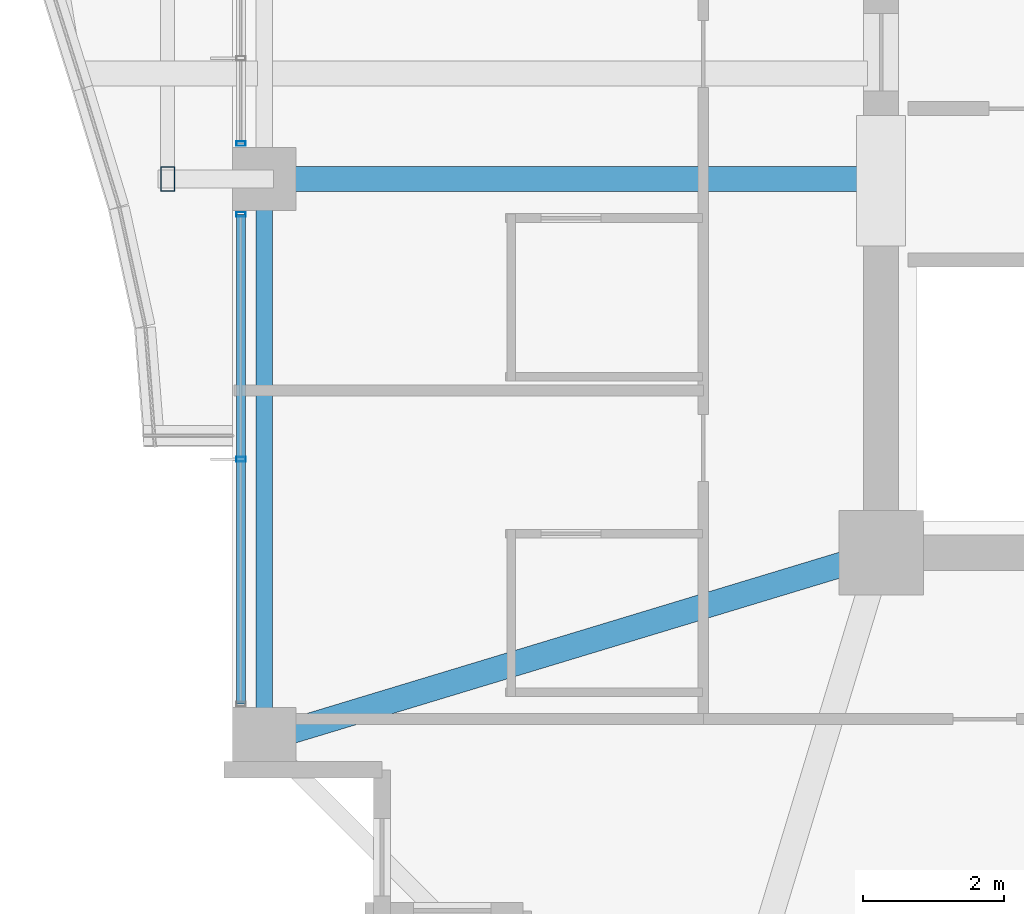
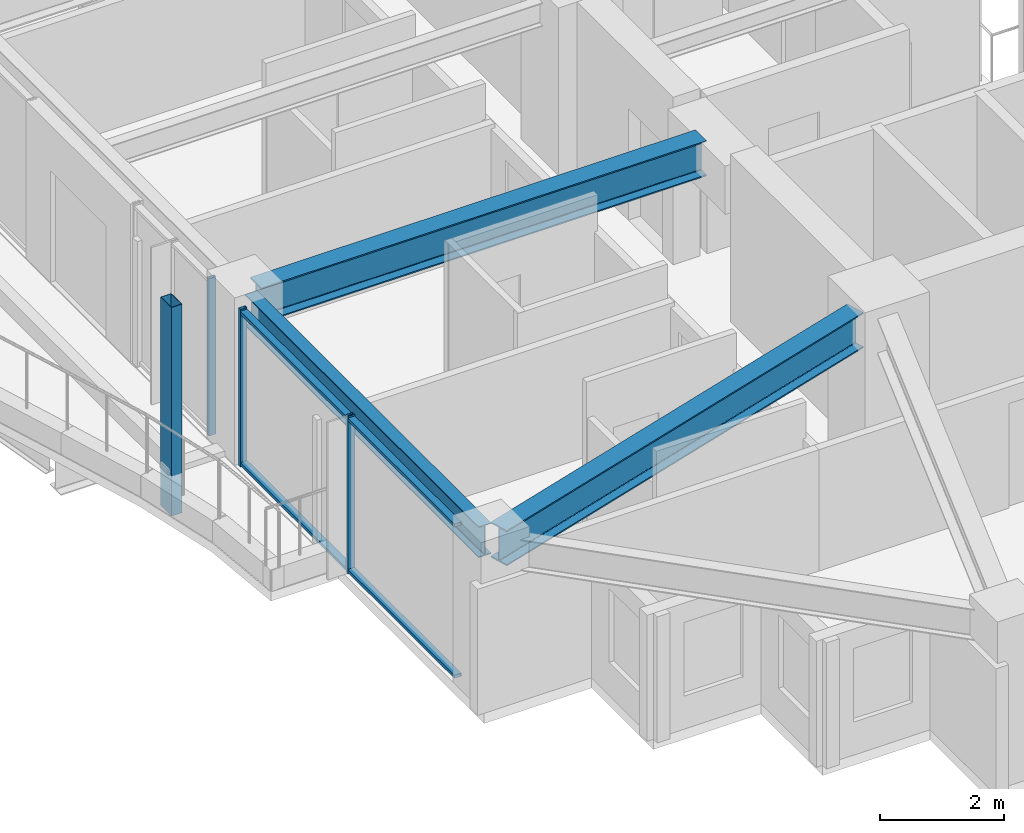
# One storey, part 4 of 37: 6 members, 3 beams, 2 elements without a shape of their own.
"""IFC4 building model written with IfcOpenShell, lengths in metres."""

from ifc_helpers import new_model, si_unit, direction, frame, origin, origin_2d, place, context, subcontext, project, spatial, hollow_rectangle, i_section, extrude, material, material_profile, profile_set, type_object, element, aggregate, save


model = new_model("IFC4")

# Units and contexts
model_context = context("Model", 3, precision=1e-05, world=origin(), true_north=direction((0.0, 1.0)))
body_context = subcontext(model_context, "Body", "Model", "MODEL_VIEW")
ifc_project = project(units=[si_unit("LENGTHUNIT", "METRE"), si_unit("AREAUNIT", "SQUARE_METRE"), si_unit("VOLUMEUNIT", "CUBIC_METRE"), si_unit("PLANEANGLEUNIT", "RADIAN"), si_unit("MASSUNIT", "GRAM", prefix="KILO")], contexts=[model_context])

# Site, building, storey
site_placement = place(None, origin())
site = spatial("IfcSite", under=ifc_project, at=site_placement, CompositionType="ELEMENT")
building_placement = place(site_placement, origin())
building = spatial("IfcBuilding", under=site, at=building_placement, Name="Kolvaren Belvedere", CompositionType="ELEMENT")
storey_placement = place(building_placement, frame((0.0, 0.0, 156.89990234375)))
storey = spatial("IfcBuildingStorey", under=building, at=storey_placement, Name="L45", CompositionType="ELEMENT", Elevation=156.89990234375)

# Beams
ifc_material_1 = material(Name="Structural steel ASTM A992 Grade 50", Category="steel")
ifc_material_profile_1 = material_profile(ifc_material_1, i_section(OverallWidth=0.35498046875, OverallDepth=0.696044921875, WebThickness=0.015380859375, FlangeThickness=0.02490234375, FilletRadius=0.02197265625, at=origin_2d()), Name="W27X146")
ifc_profile_set_1 = profile_set([ifc_material_profile_1], Name="Structural steel ASTM A992 Grade 50")
beam_type_1 = type_object("IfcBeamType", Name="BM-GIRD-W27X146", PredefinedType="BEAM", material=ifc_profile_set_1)
beam_1_placement = place(storey_placement, frame((-10.14990234375, -4.60009765625, 2.752197265625), z_axis=(-1.0, 0.0, 0.0), x_axis=(0.0, -1.0, 0.0)))
element("IfcBeam", 1, at=beam_1_placement, inside=storey, type_object=beam_type_1, Name="L45 West Radial Girder M", PredefinedType="BEAM", context=body_context, shape_type="SweptSolid", body=[
    extrude(i_section(OverallWidth=0.35498046875, OverallDepth=0.696044921875, WebThickness=0.015380859375, FlangeThickness=0.02490234375, FilletRadius=0.02197265625, at=origin_2d()), origin(), (0.0, 0.0, 1.0), 8.297607421875),
])
beam_2_placement = place(storey_placement, frame((-10.426513671875, -10.059326171875, 2.752197265625), z_axis=(-0.957067352423, -0.289865629086, 0.0), x_axis=(0.289865629086, -0.957067352423, 0.0)))
element("IfcBeam", 2, at=beam_2_placement, inside=storey, type_object=beam_type_1, Name="L45 Corner Core-to-Perimeter Girder CC1-W1", PredefinedType="BEAM", context=body_context, shape_type="SweptSolid", body=[
    extrude(i_section(OverallWidth=0.35498046875, OverallDepth=0.696044921875, WebThickness=0.015380859375, FlangeThickness=0.02490234375, FilletRadius=0.02197265625, at=origin_2d()), origin(), (0.0, 0.0, 1.0), 8.412353515625),
])
ifc_material_2 = material(Name="Structural steel ASTM A992 Grade 50", Category="steel")
ifc_material_profile_2 = material_profile(ifc_material_2, i_section(OverallWidth=0.22900390625, OverallDepth=0.612060546875, WebThickness=0.011962890625, FlangeThickness=0.01953125, FilletRadius=0.01806640625, at=origin_2d()), Name="W24X84")
ifc_profile_set_2 = profile_set([ifc_material_profile_2], Name="Structural steel ASTM A992 Grade 50")
beam_type_2 = type_object("IfcBeamType", Name="BM-SPAN-W24X84", PredefinedType="SPANDREL", material=ifc_profile_set_2)
beam_3_placement = place(storey_placement, frame((-18.64990234375, -4.802490234375, 2.794189453125), z_axis=(0.0, -1.0, 0.0), x_axis=(1.0, 0.0, 0.0)))
element("IfcBeam", 3, at=beam_3_placement, inside=storey, type_object=beam_type_2, Name="L45 Perimeter Spandrel W2-W1", PredefinedType="SPANDREL", context=body_context, shape_type="SweptSolid", body=[
    extrude(i_section(OverallWidth=0.22900390625, OverallDepth=0.612060546875, WebThickness=0.011962890625, FlangeThickness=0.01953125, FilletRadius=0.01806640625, at=origin_2d()), origin(), (0.0, 0.0, 1.0), 7.544921875),
])

# Curtain wall, members
ifc_material_3 = material(Name="Anodised pale-metal aluminium AA 6063-T6", Category="aluminium")
curtain_wall_type = type_object("IfcCurtainWallType", Name="CW-Z3-WAIST", PredefinedType="NOTDEFINED", material=ifc_material_3)
curtain_wall_1_placement = place(storey_placement, origin())
curtain_wall_1 = element("IfcCurtainWall", 4, at=curtain_wall_1_placement, inside=storey, type_object=curtain_wall_type, Name="L45 Unitised Curtain Wall FCW-L45-W1-B1", PredefinedType="NOTDEFINED")
ifc_material_4 = material(Name="Anodised pale-metal aluminium AA 6063-T6", Category="aluminium")
ifc_material_profile_3 = material_profile(ifc_material_4, hollow_rectangle(XDim=0.06494140625, YDim=0.1298828125, WallThickness=0.00390625, at=origin_2d()), Name="ALU-MUL-130X65")
ifc_profile_set_3 = profile_set([ifc_material_profile_3], Name="Anodised pale-metal aluminium AA 6063-T6")
member_type_1 = type_object("IfcMemberType", Name="CW-MUL-130", PredefinedType="MULLION", material=ifc_profile_set_3)
member_1_placement = place(storey_placement, frame((-18.97998046875, -8.574951171875, 0.0), z_axis=(0.0, 0.0, 1.0), x_axis=(0.0, 1.0, 0.0)))
member_1 = element("IfcMember", 5, at=member_1_placement, type_object=member_type_1, Name="FCW-L45-W1-B1 Unitised Mullion 2", PredefinedType="MULLION", context=body_context, shape_type="SweptSolid", body=[
    extrude(hollow_rectangle(XDim=0.06494140625, YDim=0.1298828125, WallThickness=0.00390625, at=origin_2d()), origin(), (0.0, 0.0, 1.0), 3.10009765625),
])
member_2_placement = place(storey_placement, frame((-18.97998046875, -5.1025390625, 0.0), z_axis=(0.0, 0.0, 1.0), x_axis=(0.0, 1.0, 0.0)))
member_2 = element("IfcMember", 6, at=member_2_placement, type_object=member_type_1, Name="FCW-L45-W1-B1 Unitised Mullion 3", PredefinedType="MULLION", context=body_context, shape_type="SweptSolid", body=[
    extrude(hollow_rectangle(XDim=0.06494140625, YDim=0.1298828125, WallThickness=0.00390625, at=origin_2d()), origin(), (0.0, 0.0, 1.0), 3.10009765625),
])

# Curtain wall, member
curtain_wall_2_placement = place(storey_placement, origin())
curtain_wall_2 = element("IfcCurtainWall", 7, at=curtain_wall_2_placement, inside=storey, type_object=curtain_wall_type, Name="L45 Unitised Curtain Wall FCW-L45-W1-B2", PredefinedType="NOTDEFINED")
member_3_placement = place(storey_placement, frame((-18.97998046875, -4.097412109375, 0.0), z_axis=(0.0, 0.0, 1.0), x_axis=(0.0, 1.0, 0.0)))
member_3 = element("IfcMember", 8, at=member_3_placement, type_object=member_type_1, Name="FCW-L45-W1-B2 Unitised Mullion 1", PredefinedType="MULLION", context=body_context, shape_type="SweptSolid", body=[
    extrude(hollow_rectangle(XDim=0.06494140625, YDim=0.1298828125, WallThickness=0.00390625, at=origin_2d()), origin(), (0.0, 0.0, 1.0), 3.10009765625),
])
aggregate(curtain_wall_2, [member_3])

# Member
ifc_material_5 = material(Name="Anodised pale-metal aluminium AA 6063-T6", Category="aluminium")
ifc_material_profile_4 = material_profile(ifc_material_5, hollow_rectangle(XDim=0.06005859375, YDim=0.1298828125, WallThickness=0.00390625, at=origin_2d()), Name="ALU-TRN-130X60")
ifc_profile_set_4 = profile_set([ifc_material_profile_4], Name="Anodised pale-metal aluminium AA 6063-T6")
member_type_2 = type_object("IfcMemberType", Name="CW-TRN-130", PredefinedType="USERDEFINED", material=ifc_profile_set_4)
member_4_placement = place(storey_placement, frame((-18.97998046875, -12.047607421875, 0.06005859375), z_axis=(0.0, 1.0, 0.0), x_axis=(0.0, 0.0, 1.0)))
member_4 = element("IfcMember", 9, at=member_4_placement, type_object=member_type_2, Name="FCW-L45-W1-B1 Sill Transom", ObjectType="TRANSOM", PredefinedType="USERDEFINED", context=body_context, shape_type="SweptSolid", body=[
    extrude(hollow_rectangle(XDim=0.06005859375, YDim=0.1298828125, WallThickness=0.00390625, at=origin_2d()), origin(), (0.0, 0.0, 1.0), 6.945068359375),
])

member_5_placement = place(storey_placement, frame((-18.97998046875, -12.047607421875, 3.0400390625), z_axis=(0.0, 1.0, 0.0), x_axis=(0.0, 0.0, 1.0)))
member_5 = element("IfcMember", 10, at=member_5_placement, type_object=member_type_2, Name="FCW-L45-W1-B1 Head Transom", ObjectType="TRANSOM", PredefinedType="USERDEFINED", context=body_context, shape_type="SweptSolid", body=[
    extrude(hollow_rectangle(XDim=0.06005859375, YDim=0.1298828125, WallThickness=0.00390625, at=origin_2d()), origin(), (0.0, 0.0, 1.0), 6.945068359375),
])

aggregate(curtain_wall_1, [member_1, member_2, member_4, member_5])

ifc_material_6 = material(Name="Anodised pale-metal aluminium AA 6063-T6", Category="aluminium")
ifc_material_profile_5 = material_profile(ifc_material_6, hollow_rectangle(XDim=0.199951171875, YDim=0.35009765625, WallThickness=0.007568359375, at=origin_2d()), Name="ALU-PF-350X200")
ifc_profile_set_5 = profile_set([ifc_material_profile_5], Name="Anodised pale-metal aluminium AA 6063-T6")
member_type_3 = type_object("IfcMemberType", Name="PF-FRAME-350", PredefinedType="USERDEFINED", material=ifc_profile_set_5)
member_6_placement = place(storey_placement, frame((-20.02001953125, -4.60009765625, -0.809814453125), z_axis=(0.0, 0.0, 1.0), x_axis=(1.0, 0.0, 0.0)))
element("IfcMember", 11, at=member_6_placement, inside=storey, type_object=member_type_3, Name="L45 Outboard Picture-Frame Vertical W1", ObjectType="PICTURE FRAME FIN", PredefinedType="USERDEFINED", context=body_context, shape_type="SweptSolid", body=[
    extrude(hollow_rectangle(XDim=0.199951171875, YDim=0.35009765625, WallThickness=0.007568359375, at=origin_2d()), origin(), (0.0, 0.0, 1.0), 4.10986328125),
])

save(model, "model.ifc")
